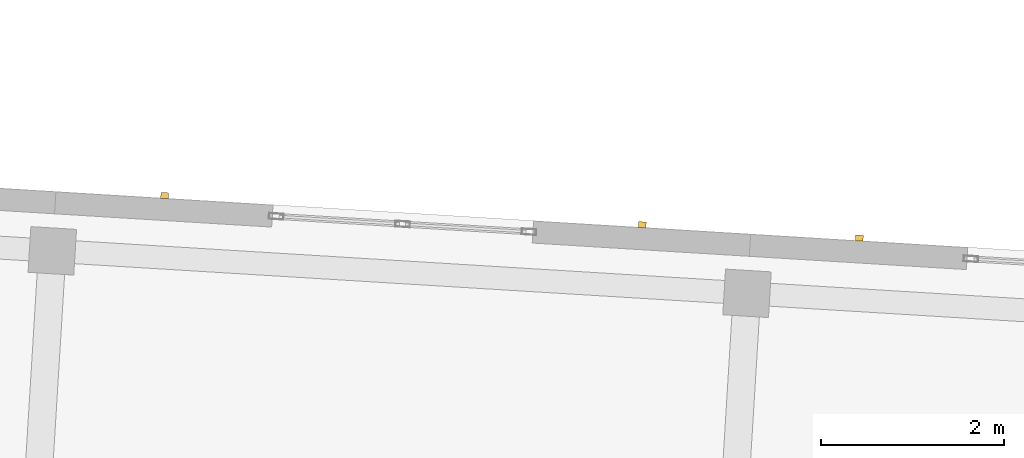
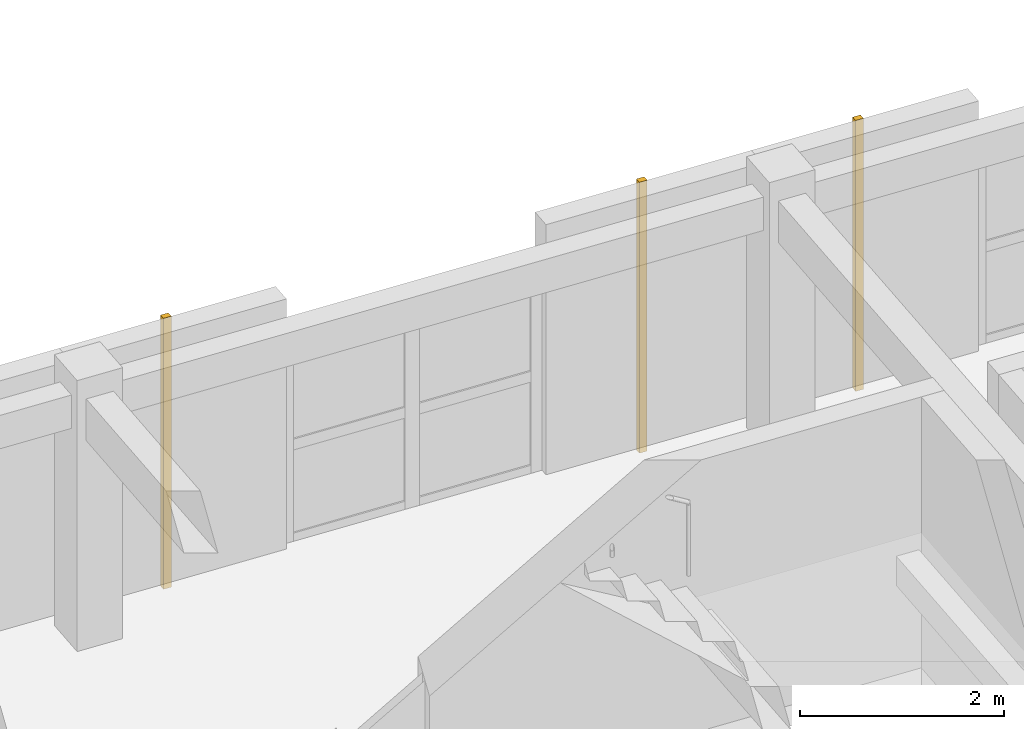
# One storey, part 58 of 68: 3 coverings.
"""IFC4 building model written with IfcOpenShell, lengths in metres."""

from ifc_helpers import new_model, si_unit, direction, frame, origin, origin_2d, place, context, subcontext, project, spatial, rectangle, extrude, material, layer, layer_set, type_object, element, save


model = new_model("IFC4")

# Units and contexts
model_context = context("Model", 3, precision=1e-05, world=origin(), true_north=direction((0.0, 1.0)))
body_context = subcontext(model_context, "Body", "Model", "MODEL_VIEW")
ifc_project = project(units=[si_unit("LENGTHUNIT", "METRE"), si_unit("AREAUNIT", "SQUARE_METRE"), si_unit("VOLUMEUNIT", "CUBIC_METRE"), si_unit("PLANEANGLEUNIT", "RADIAN"), si_unit("MASSUNIT", "GRAM", prefix="KILO")], contexts=[model_context])

# Site, building, storey
site_placement = place(None, origin())
site = spatial("IfcSite", under=ifc_project, at=site_placement, CompositionType="ELEMENT")
building_placement = place(site_placement, origin())
building = spatial("IfcBuilding", under=site, at=building_placement, Name="Kestramere Prow Commons", CompositionType="ELEMENT")
storey_placement = place(building_placement, frame((0.0, 0.0, 18.14990234375)))
storey = spatial("IfcBuildingStorey", under=building, at=storey_placement, Name="L05", CompositionType="ELEMENT", Elevation=18.14990234375)

# Coverings
ifc_material = material(Name="Weathered Zinc-Titanium Standing-Seam Cladding")
ifc_layer = layer(ifc_material, 0.074951171875)
ifc_layer_set = layer_set([ifc_layer], Name="Weathered Zinc-Titanium Standing-Seam Cladding")
covering_type = type_object("IfcCoveringType", Name="COV-CLAD-SEAM", PredefinedType="CLADDING", material=ifc_layer_set)
for number, where, z_axis, x_axis, name in (
    (1, (69.509033203125, 66.203125, -0.25), (0.0, 0.0, 1.0), (0.998134798422, -0.061048539535, 0.0), "EW-C-L05-NP-1-L Standing-Seam Rib 1"),
    (2, (74.724365234375, 65.88427734375, -0.25), (0.0, 0.0, 1.0), (0.998134798422, -0.061048539535, 0.0), "EW-C-L05-NP-1-R Standing-Seam Rib 1"),
    (3, (77.094970703125, 65.7392578125, -0.25), (0.0, 0.0, 1.0), (0.998134798422, -0.061048539535, 0.0), "EW-C-L05-NP-2-L Standing-Seam Rib 1"),
):
    element("IfcCovering", number, at=place(storey_placement, frame(where, z_axis=z_axis, x_axis=x_axis)), inside=storey, type_object=covering_type, Name=name, PredefinedType="CLADDING", context=body_context, shape_type="SweptSolid", body=[
        extrude(rectangle(XDim=0.0849609375, YDim=0.06494140625, at=origin_2d()), origin(), (0.0, 0.0, 1.0), 3.25),
    ])

save(model, "model.ifc")
